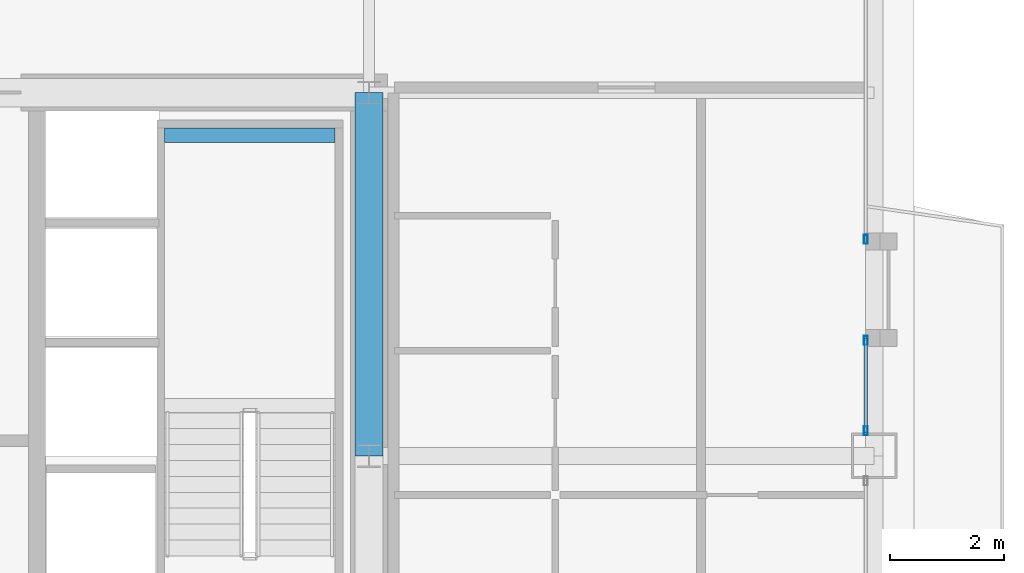
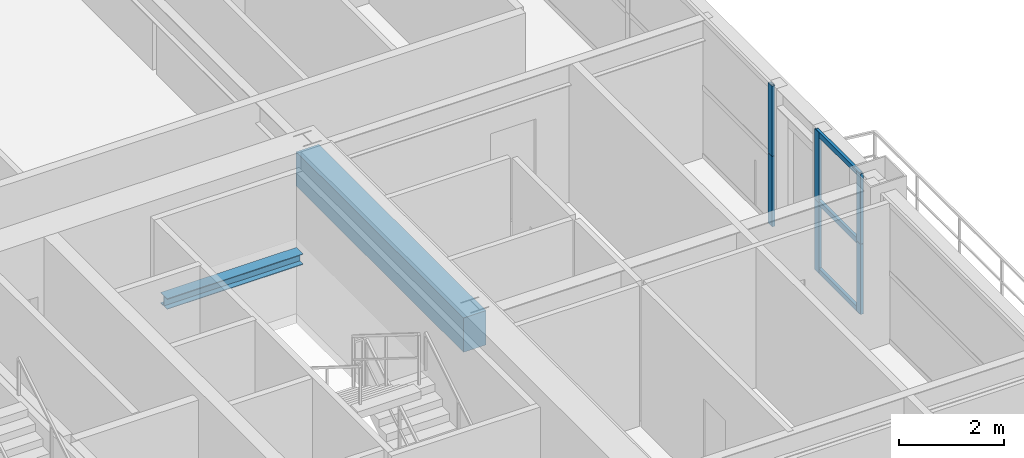
# One storey, part 27 of 45: 9 members, 2 beams, 2 elements without a shape of their own.
"""IFC4 building model written with IfcOpenShell, lengths in metres."""

from ifc_helpers import new_model, si_unit, direction, frame, origin, origin_2d, place, context, subcontext, project, spatial, rectangle, hollow_rectangle, i_section, extrude, source, transform, mapped, material, layer, layer_set, material_profile, profile_set, type_object, element, aggregate, save


model = new_model("IFC4")

# Units and contexts
model_context = context("Model", 3, precision=1e-05, world=origin(), true_north=direction((0.0, 1.0)))
body_context = subcontext(model_context, "Body", "Model", "MODEL_VIEW")
ifc_project = project(units=[si_unit("LENGTHUNIT", "METRE"), si_unit("AREAUNIT", "SQUARE_METRE"), si_unit("VOLUMEUNIT", "CUBIC_METRE"), si_unit("PLANEANGLEUNIT", "RADIAN"), si_unit("MASSUNIT", "GRAM", prefix="KILO"), si_unit("THERMODYNAMICTEMPERATUREUNIT", "KELVIN"), si_unit("POWERUNIT", "WATT")], contexts=[model_context])

# Site, building, storey
site_placement = place(None, origin())
site = spatial("IfcSite", under=ifc_project, at=site_placement, CompositionType="ELEMENT")
building_placement = place(site_placement, origin())
building = spatial("IfcBuilding", under=site, at=building_placement, Name="Yuzanri Waterfront Tower", CompositionType="ELEMENT")
storey_placement = place(building_placement, frame((0.0, 0.0, 191.5)))
storey = spatial("IfcBuildingStorey", under=building, at=storey_placement, Name="L50", CompositionType="ELEMENT", Elevation=191.5)

# Beam
ifc_material_1 = material(Name="Concrete C50", Category="concrete")
ifc_material_profile_1 = material_profile(ifc_material_1, rectangle(XDim=0.5, YDim=0.800048828125, at=origin_2d()), Name="RC 500x800")
ifc_profile_set_1 = profile_set([ifc_material_profile_1], Name="Concrete C50")
beam_type_1 = type_object("IfcBeamType", Name="Core Coupling Lintel Concrete C50 500x800", PredefinedType="LINTEL", material=ifc_profile_set_1)
shared_shape_1 = source(origin(), body_context, "Body", "SweptSolid", [
    extrude(rectangle(XDim=0.5, YDim=0.800048828125, at=origin_2d()), origin(), (0.0, 0.0, 1.0), 6.39990234375),
])
beam_1_placement = place(storey_placement, frame((50.199951171875, 25.800048828125, 2.8798828125), z_axis=(0.0, 1.0, 0.0), x_axis=(-1.0, 0.0, 0.0)))
element("IfcBeam", 1, at=beam_1_placement, inside=storey, type_object=beam_type_1, Name="L50 Core Tie Beam CE2", PredefinedType="LINTEL", context=body_context, shape_type="MappedRepresentation", body=[
    mapped(shared_shape_1, transform((0.0, 0.0, 0.0), scale=1.0)),
])

# Curtain wall, members
ifc_material_2 = material(Name="Anodized Architectural Bronze", Category="metal")
ifc_layer = layer(ifc_material_2, 0.159912109375)
ifc_layer_set = layer_set([ifc_layer], Name="Anodized Architectural Bronze")
curtain_wall_type = type_object("IfcCurtainWallType", Name="Anodized Bronze Mid-Rise Residential Acoustic Unitized Curtain Wall 7200", PredefinedType="NOTDEFINED", material=ifc_layer_set)
curtain_wall_1_placement = place(storey_placement, origin())
curtain_wall_1 = element("IfcCurtainWall", 2, at=curtain_wall_1_placement, inside=storey, type_object=curtain_wall_type, Name="L50 Curtain Wall CW-L50-ER1", PredefinedType="NOTDEFINED")
ifc_material_3 = material(Name="Anodized Architectural Bronze", Category="metal")
ifc_material_profile_2 = material_profile(ifc_material_3, hollow_rectangle(XDim=0.06494140625, YDim=0.159912109375, WallThickness=0.00341796875, at=origin_2d()), Name="CWM 65x160")
ifc_profile_set_2 = profile_set([ifc_material_profile_2], Name="Anodized Architectural Bronze")
member_type_1 = type_object("IfcMemberType", Name="Anodized Bronze Upper-Zone Curtain-Wall Mullion 65x160", PredefinedType="MULLION", material=ifc_profile_set_2)
shared_shape_2 = source(origin(), body_context, "Body", "SweptSolid", [
    extrude(hollow_rectangle(XDim=0.06494140625, YDim=0.159912109375, WallThickness=0.00341796875, at=origin_2d()), origin(), (0.0, 0.0, 1.0), 1.637939453125),
])
member_1_placement = place(storey_placement, frame((58.949951171875, 26.239990234375, 0.0), z_axis=(0.0, 0.0, 1.0), x_axis=(1.0, 0.0, 0.0)))
member_1 = element("IfcMember", 3, at=member_1_placement, type_object=member_type_1, Name="CW-L50-ER1 Lower Mullion 00", PredefinedType="MULLION", context=body_context, shape_type="MappedRepresentation", body=[
    mapped(shared_shape_2, transform((0.0, 0.0, 0.0), scale=1.0)),
])
member_2_placement = place(storey_placement, frame((58.949951171875, 26.239990234375, 1.64208984375), z_axis=(0.0, 0.0, 1.0), x_axis=(1.0, 0.0, 0.0)))
member_2 = element("IfcMember", 4, at=member_2_placement, type_object=member_type_1, Name="CW-L50-ER1 Upper Mullion 00", PredefinedType="MULLION", context=body_context, shape_type="MappedRepresentation", body=[
    mapped(shared_shape_2, transform((0.0, 0.0, 0.0), scale=1.0)),
])
member_3_placement = place(storey_placement, frame((58.949951171875, 27.8349609375, 0.0), z_axis=(0.0, 0.0, 1.0), x_axis=(1.0, 0.0, 0.0)))
member_3 = element("IfcMember", 5, at=member_3_placement, type_object=member_type_1, Name="CW-L50-ER1 Lower Mullion 01", PredefinedType="MULLION", context=body_context, shape_type="MappedRepresentation", body=[
    mapped(shared_shape_2, transform((0.0, 0.0, 0.0), scale=1.0)),
])
member_4_placement = place(storey_placement, frame((58.949951171875, 27.8349609375, 1.64208984375), z_axis=(0.0, 0.0, 1.0), x_axis=(1.0, 0.0, 0.0)))
member_4 = element("IfcMember", 6, at=member_4_placement, type_object=member_type_1, Name="CW-L50-ER1 Upper Mullion 01", PredefinedType="MULLION", context=body_context, shape_type="MappedRepresentation", body=[
    mapped(shared_shape_2, transform((0.0, 0.0, 0.0), scale=1.0)),
])

curtain_wall_2_placement = place(storey_placement, origin())
curtain_wall_2 = element("IfcCurtainWall", 7, at=curtain_wall_2_placement, inside=storey, type_object=curtain_wall_type, Name="L50 Curtain Wall CW-L50-ER2", PredefinedType="NOTDEFINED")
member_5_placement = place(storey_placement, frame((58.949951171875, 29.614990234375, 0.0), z_axis=(0.0, 0.0, 1.0), x_axis=(1.0, 0.0, 0.0)))
member_5 = element("IfcMember", 8, at=member_5_placement, type_object=member_type_1, Name="CW-L50-ER2 Lower Mullion 00", PredefinedType="MULLION", context=body_context, shape_type="MappedRepresentation", body=[
    mapped(shared_shape_2, transform((0.0, 0.0, 0.0), scale=1.0)),
])
member_6_placement = place(storey_placement, frame((58.949951171875, 29.614990234375, 1.64208984375), z_axis=(0.0, 0.0, 1.0), x_axis=(1.0, 0.0, 0.0)))
member_6 = element("IfcMember", 9, at=member_6_placement, type_object=member_type_1, Name="CW-L50-ER2 Upper Mullion 00", PredefinedType="MULLION", context=body_context, shape_type="MappedRepresentation", body=[
    mapped(shared_shape_2, transform((0.0, 0.0, 0.0), scale=1.0)),
])
aggregate(curtain_wall_2, [member_5, member_6])

# Member
ifc_material_4 = material(Name="Anodized Architectural Bronze", Category="metal")
ifc_material_profile_3 = material_profile(ifc_material_4, hollow_rectangle(XDim=0.06494140625, YDim=0.1201171875, WallThickness=0.00341796875, at=origin_2d()), Name="CWT 65x120")
ifc_profile_set_3 = profile_set([ifc_material_profile_3], Name="Anodized Architectural Bronze")
member_type_2 = type_object("IfcMemberType", Name="Anodized Bronze Secondary Curtain-Wall Transom 65x120", PredefinedType="USERDEFINED", material=ifc_profile_set_3)
shared_shape_3 = source(origin(), body_context, "Body", "SweptSolid", [
    extrude(hollow_rectangle(XDim=0.06494140625, YDim=0.1201171875, WallThickness=0.00341796875, at=origin_2d()), origin(), (0.0, 0.0, 1.0), 1.675048828125),
])
member_7_placement = place(storey_placement, frame((58.949951171875, 26.199951171875, 0.050048828125), z_axis=(0.0, 1.0, 0.0), x_axis=(-1.0, 0.0, 0.0)))
member_7 = element("IfcMember", 10, at=member_7_placement, type_object=member_type_2, Name="CW-L50-ER1 Transom 1", ObjectType="TRANSOM", PredefinedType="USERDEFINED", context=body_context, shape_type="MappedRepresentation", body=[
    mapped(shared_shape_3, transform((0.0, 0.0, 0.0), scale=1.0)),
])

member_8_placement = place(storey_placement, frame((58.949951171875, 26.199951171875, 1.639892578125), z_axis=(0.0, 1.0, 0.0), x_axis=(-1.0, 0.0, 0.0)))
member_8 = element("IfcMember", 11, at=member_8_placement, type_object=member_type_2, Name="CW-L50-ER1 Transom 2", ObjectType="TRANSOM", PredefinedType="USERDEFINED", context=body_context, shape_type="MappedRepresentation", body=[
    mapped(shared_shape_3, transform((0.0, 0.0, 0.0), scale=1.0)),
])

member_9_placement = place(storey_placement, frame((58.949951171875, 26.199951171875, 3.22998046875), z_axis=(0.0, 1.0, 0.0), x_axis=(-1.0, 0.0, 0.0)))
member_9 = element("IfcMember", 12, at=member_9_placement, type_object=member_type_2, Name="CW-L50-ER1 Transom 3", ObjectType="TRANSOM", PredefinedType="USERDEFINED", context=body_context, shape_type="MappedRepresentation", body=[
    mapped(shared_shape_3, transform((0.0, 0.0, 0.0), scale=1.0)),
])

aggregate(curtain_wall_1, [member_1, member_2, member_3, member_4, member_7, member_8, member_9])

# Beam
ifc_material_5 = material(Name="Steel Q355B", Category="steel")
ifc_material_profile_4 = material_profile(ifc_material_5, i_section(OverallWidth=0.25, OverallDepth=0.25, WebThickness=0.009033203125, FlangeThickness=0.013916015625, at=origin_2d()), Name="HW 250x250x9x14")
ifc_profile_set_4 = profile_set([ifc_material_profile_4], Name="Steel Q355B")
beam_type_2 = type_object("IfcBeamType", Name="Stair Landing Support Beam Q355B HW 250x250", PredefinedType="BEAM", material=ifc_profile_set_4)
shared_shape_4 = source(origin(), body_context, "Body", "SweptSolid", [
    extrude(i_section(OverallWidth=0.25, OverallDepth=0.25, WebThickness=0.009033203125, FlangeThickness=0.013916015625, at=origin_2d()), origin(), (0.0, 0.0, 1.0), 3.0),
])
beam_2_placement = place(storey_placement, frame((46.60009765625, 31.449951171875, 1.425048828125), z_axis=(1.0, 0.0, 0.0), x_axis=(0.0, 1.0, 0.0)))
element("IfcBeam", 13, at=beam_2_placement, inside=storey, type_object=beam_type_2, Name="L50 Stair Landing Support Beam ST-02-L50-L1-2", PredefinedType="BEAM", context=body_context, shape_type="MappedRepresentation", body=[
    mapped(shared_shape_4, transform((0.0, 0.0, 0.0), scale=1.0)),
])

save(model, "model.ifc")
